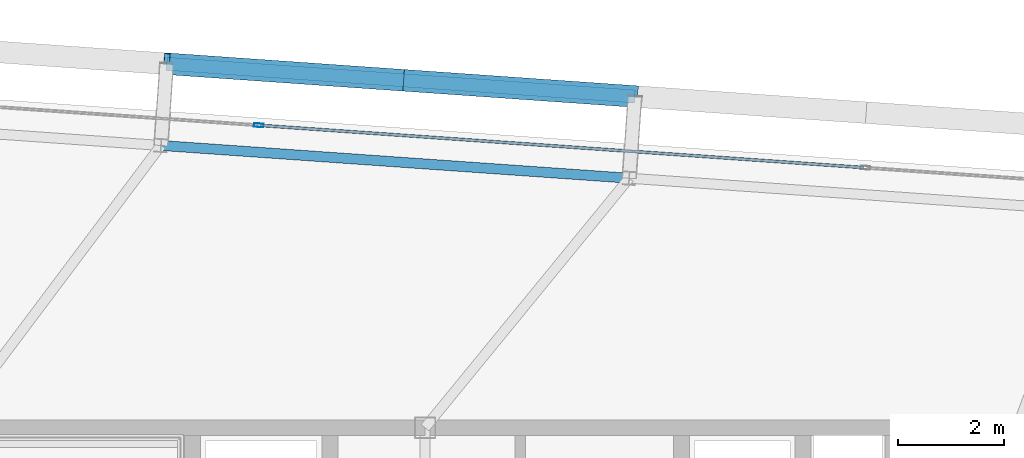
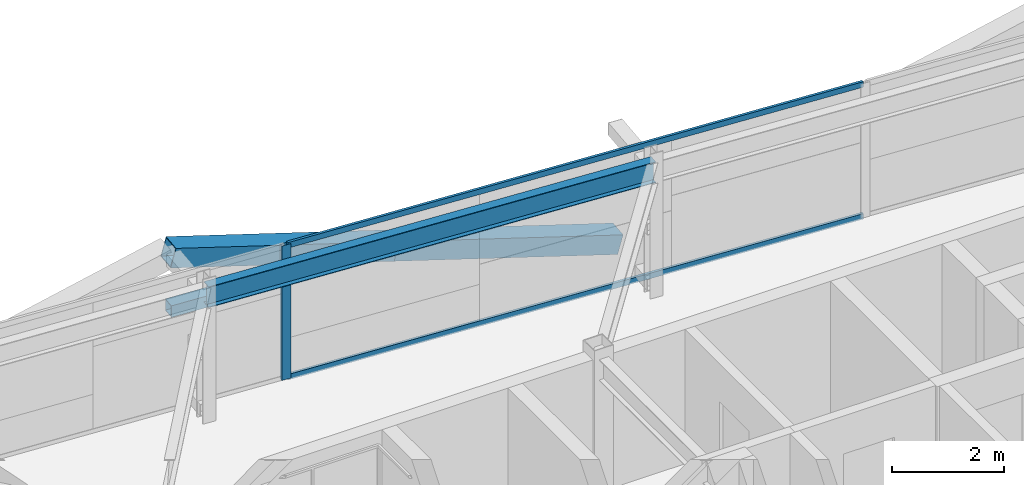
# One storey, part 21 of 39: 6 members, 1 beam, 1 element without a shape of its own.
"""IFC4 building model written with IfcOpenShell, lengths in metres."""

from ifc_helpers import new_model, si_unit, direction, frame, origin, origin_2d, place, context, subcontext, project, spatial, hollow_rectangle, i_section, extrude, source, transform, mapped, material, layer, layer_set, material_profile, profile_set, type_object, element, aggregate, save


model = new_model("IFC4")

# Units and contexts
model_context = context("Model", 3, precision=1e-05, world=origin(), true_north=direction((0.0, 1.0)))
body_context = subcontext(model_context, "Body", "Model", "MODEL_VIEW")
ifc_project = project(units=[si_unit("LENGTHUNIT", "METRE"), si_unit("AREAUNIT", "SQUARE_METRE"), si_unit("VOLUMEUNIT", "CUBIC_METRE"), si_unit("PLANEANGLEUNIT", "RADIAN"), si_unit("MASSUNIT", "GRAM", prefix="KILO")], contexts=[model_context])

# Site, building, storey
site_placement = place(None, origin())
site = spatial("IfcSite", under=ifc_project, at=site_placement, CompositionType="ELEMENT")
building_placement = place(site_placement, origin())
building = spatial("IfcBuilding", under=site, at=building_placement, Name="Taldren Reach Tower", CompositionType="ELEMENT")
storey_placement = place(building_placement, frame((0.0, 0.0, 158.199951171875)))
storey = spatial("IfcBuildingStorey", under=building, at=storey_placement, Name="L48", CompositionType="ELEMENT", Elevation=158.199951171875)

# Beam
ifc_material_1 = material(Name="Steel Gr 350 (350PLUS)", Category="steel")
ifc_material_profile_1 = material_profile(ifc_material_1, i_section(OverallWidth=0.18994140625, OverallDepth=0.4541015625, WebThickness=0.008544921875, FlangeThickness=0.0126953125, at=origin_2d()), Name="460UB67.1")
ifc_profile_set_1 = profile_set([ifc_material_profile_1], Name="Steel Gr 350 (350PLUS)")
beam_type = type_object("IfcBeamType", Name="SP-UB460B", PredefinedType="SPANDREL", material=ifc_profile_set_1)
shared_shape_1 = source(origin(), body_context, "Body", "SweptSolid", [
    extrude(i_section(OverallWidth=0.18994140625, OverallDepth=0.4541015625, WebThickness=0.008544921875, FlangeThickness=0.0126953125, at=origin_2d()), origin(), (0.0, 0.0, 1.0), 8.880126953125),
])
beam_placement = place(storey_placement, frame((31.861328125, 36.719970703125, 2.703125), z_axis=(-0.997564479639, 0.069750333063, 0.0), x_axis=(-0.069750333063, -0.997564479639, 0.0)))
element("IfcBeam", 1, at=beam_placement, inside=storey, type_object=beam_type, Name="Perimeter spandrel B3 N3-N2 L48", PredefinedType="SPANDREL", context=body_context, shape_type="MappedRepresentation", body=[
    mapped(shared_shape_1, transform((0.0, 0.0, 0.0), scale=1.0)),
])

# Members
ifc_material_2 = material(Name="Steel Gr 350 (C350L0)", Category="steel")
ifc_material_profile_2 = material_profile(ifc_material_2, hollow_rectangle(XDim=0.25, YDim=0.25, WallThickness=0.010009765625, at=origin_2d()), Name="250x250x10.0SHS")
ifc_profile_set_2 = profile_set([ifc_material_profile_2], Name="Steel Gr 350 (C350L0)")
member_type_1 = type_object("IfcMemberType", Name="MB-POST250", PredefinedType="POST", material=ifc_profile_set_2)
shared_shape_2 = source(origin(), body_context, "Body", "SweptSolid", [
    extrude(hollow_rectangle(XDim=0.25, YDim=0.25, WallThickness=0.010009765625, at=origin_2d()), origin(), (0.0, 0.0, 1.0), 8.880126953125),
])
member_1_placement = place(storey_placement, frame((23.111083984375, 38.885498046875, 1.43505859375), z_axis=(0.997564479639, -0.069750333063, 0.0), x_axis=(0.069750333063, 0.997564479639, 0.0)))
element("IfcMember", 2, at=member_1_placement, inside=storey, type_object=member_type_1, Name="Exoskeleton mid-height ring chord B3-N2 L48", PredefinedType="POST", context=body_context, shape_type="MappedRepresentation", body=[
    mapped(shared_shape_2, transform((0.0, 0.0, 0.0), scale=1.0)),
])
ifc_material_3 = material(Name="Steel Gr 450 (C450L0)", Category="steel")
ifc_material_profile_3 = material_profile(ifc_material_3, hollow_rectangle(XDim=0.409912109375, YDim=0.409912109375, WallThickness=0.01611328125, at=origin_2d()), Name="410x410x16.0SHS")
ifc_profile_set_3 = profile_set([ifc_material_profile_3], Name="Steel Gr 450 (C450L0)")
member_type_2 = type_object("IfcMemberType", Name="MB-EXO406", PredefinedType="BRACE", material=ifc_profile_set_3)
shared_shape_3 = source(origin(), body_context, "Body", "SweptSolid", [
    extrude(hollow_rectangle(XDim=0.409912109375, YDim=0.409912109375, WallThickness=0.01611328125, at=origin_2d()), origin(), (0.0, 0.0, 1.0), 4.603271484375),
])
for number, where, z_axis, x_axis, name in (
    (3, (31.969482421875, 38.26611328125, 0.219970703125), (-0.962182351074, 0.067302910567, 0.263961060594), (-0.06977769246, -0.997562566276, 0.0), "Exoskeleton Diagrid Brace B3-N2 L48"),
    (4, (27.540283203125, 38.575927734375, 1.43505859375), (-0.962185784239, 0.067250114343, 0.263962002434), (-0.069722973508, -0.997566392259, 0.0), "Exoskeleton Diagrid Brace B3-N2 L48"),
):
    element("IfcMember", number, at=place(storey_placement, frame(where, z_axis=z_axis, x_axis=x_axis)), inside=storey, type_object=member_type_2, Name=name, PredefinedType="BRACE", context=body_context, shape_type="MappedRepresentation", body=[
        mapped(shared_shape_3, transform((0.0, 0.0, 0.0), scale=1.0)),
    ])

# Curtain wall, members
ifc_material_4 = material(Name="Aluminium and Low-E Glass Unitised System", Category="aluminium")
ifc_layer = layer(ifc_material_4, 0.159912109375)
ifc_layer_set = layer_set([ifc_layer], Name="Aluminium and Low-E Glass Unitised System")
curtain_wall_type = type_object("IfcCurtainWallType", Name="CW-SYS-4", PredefinedType="NOTDEFINED", material=ifc_layer_set)
curtain_wall_placement = place(storey_placement, origin())
curtain_wall = element("IfcCurtainWall", 5, at=curtain_wall_placement, inside=storey, type_object=curtain_wall_type, Name="Unitised curtain wall CW-L48-N", PredefinedType="NOTDEFINED")
ifc_material_5 = material(Name="Anodised Aluminium 6063-T6", Category="aluminium")
ifc_material_profile_4 = material_profile(ifc_material_5, hollow_rectangle(XDim=0.054931640625, YDim=0.1201171875, WallThickness=0.0029296875, at=origin_2d()), Name="ALU-120x55x3RHS")
ifc_profile_set_4 = profile_set([ifc_material_profile_4], Name="Anodised Aluminium 6063-T6")
member_type_3 = type_object("IfcMemberType", Name="CW-TRN-135", PredefinedType="USERDEFINED", material=ifc_profile_set_4)
shared_shape_4 = source(origin(), body_context, "Body", "SweptSolid", [
    extrude(hollow_rectangle(XDim=0.054931640625, YDim=0.1201171875, WallThickness=0.0029296875, at=origin_2d()), origin(), (0.0, 0.0, 1.0), 11.43017578125),
])
member_2_placement = place(storey_placement, frame((36.291259765625, 36.92138671875, 0.027587890625), z_axis=(-0.997563844883, 0.069759410701, 0.0), x_axis=(-0.069759410701, -0.997563844883, 0.0)))
member_2 = element("IfcMember", 6, at=member_2_placement, type_object=member_type_3, Name="CW-4 transom 3.1", ObjectType="TRANSOM", PredefinedType="USERDEFINED", context=body_context, shape_type="MappedRepresentation", body=[
    mapped(shared_shape_4, transform((0.0, 0.0, 0.0), scale=1.0)),
])
member_3_placement = place(storey_placement, frame((36.291259765625, 36.92138671875, 2.902587890625), z_axis=(-0.997563844883, 0.069759410701, 0.0), x_axis=(-0.069759410701, -0.997563844883, 0.0)))
member_3 = element("IfcMember", 7, at=member_3_placement, type_object=member_type_3, Name="CW-4 transom 3.2", ObjectType="TRANSOM", PredefinedType="USERDEFINED", context=body_context, shape_type="MappedRepresentation", body=[
    mapped(shared_shape_4, transform((0.0, 0.0, 0.0), scale=1.0)),
])
ifc_material_profile_5 = material_profile(ifc_material_5, hollow_rectangle(XDim=0.070068359375, YDim=0.179931640625, WallThickness=0.00390625, at=origin_2d()), Name="ALU-180x70x4RHS")
ifc_profile_set_5 = profile_set([ifc_material_profile_5], Name="Anodised Aluminium 6063-T6")
member_type_4 = type_object("IfcMemberType", Name="CW-MUL-180", PredefinedType="MULLION", material=ifc_profile_set_5)
shared_shape_5 = source(origin(), body_context, "Body", "SweptSolid", [
    extrude(hollow_rectangle(XDim=0.070068359375, YDim=0.179931640625, WallThickness=0.00390625, at=origin_2d()), origin(), (0.0, 0.0, 1.0), 2.929931640625),
])
member_4_placement = place(storey_placement, frame((24.85400390625, 37.72119140625, 0.0), z_axis=(0.0, 0.0, 1.0), x_axis=(-0.06975651593, -0.99756404731, 0.0)))
member_4 = element("IfcMember", 8, at=member_4_placement, type_object=member_type_4, Name="CW-4 mullion 4", PredefinedType="MULLION", context=body_context, shape_type="MappedRepresentation", body=[
    mapped(shared_shape_5, transform((0.0, 0.0, 0.0), scale=1.0)),
])
aggregate(curtain_wall, [member_4, member_2, member_3])

save(model, "model.ifc")
